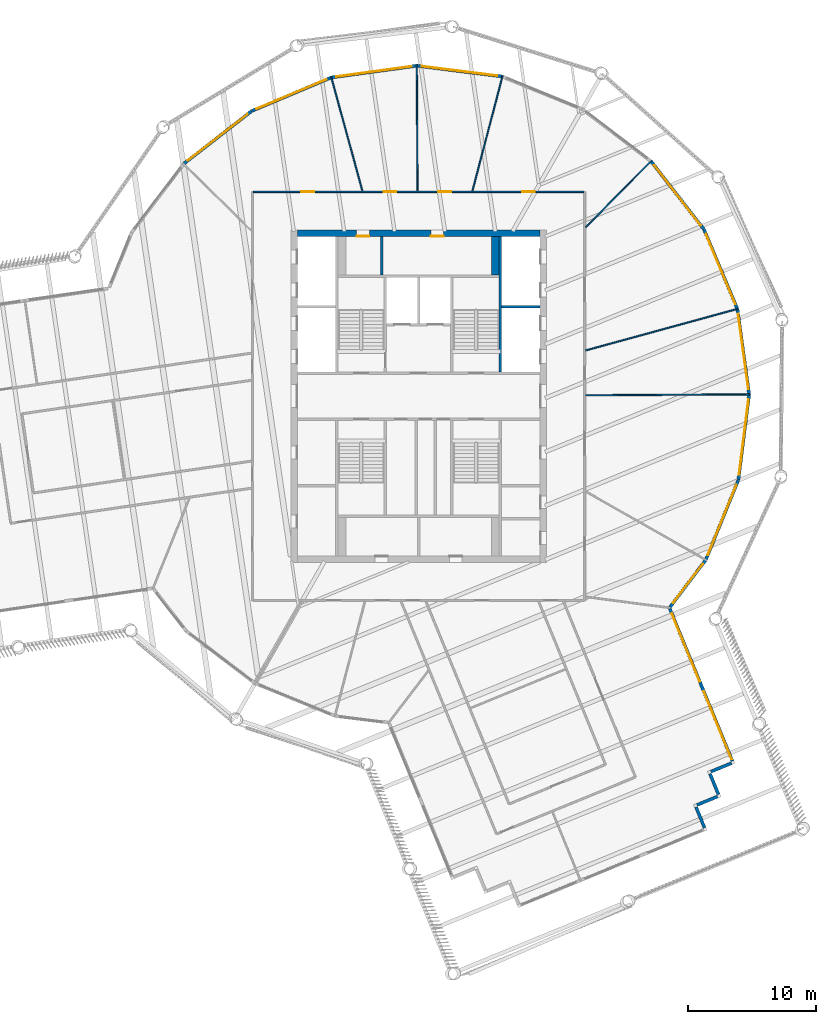
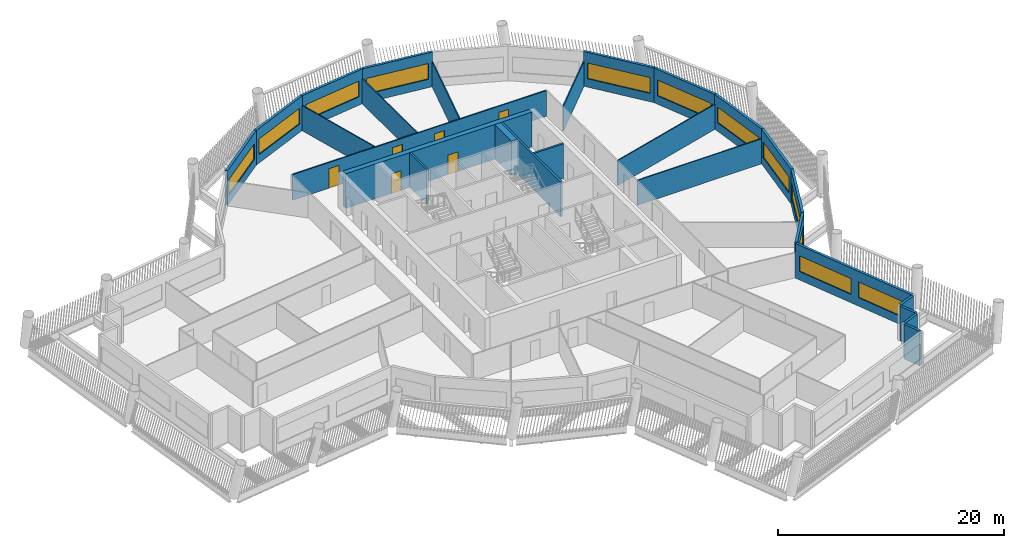
# One storey, part 6 of 15: 27 walls, 12 windows, 6 doors, 18 openings.
"""IFC4 building model written with IfcOpenShell, lengths in metres."""

from ifc_helpers import new_model, si_unit, direction, frame, frame_2d, origin, place, context, subcontext, project, spatial, rectangle, extrude, material, layer, layer_set, type_object, element, fill, save


model = new_model("IFC4")

# Units and contexts
model_context = context("Model", 3, precision=1e-05, world=origin(), true_north=direction((0.0, 1.0)))
body_context = subcontext(model_context, "Body", "Model", "MODEL_VIEW")
ifc_project = project(units=[si_unit("LENGTHUNIT", "METRE"), si_unit("AREAUNIT", "SQUARE_METRE"), si_unit("VOLUMEUNIT", "CUBIC_METRE"), si_unit("PLANEANGLEUNIT", "RADIAN"), si_unit("MASSUNIT", "GRAM", prefix="KILO")], contexts=[model_context])

# Site, building, storey
site_placement = place(None, origin())
site = spatial("IfcSite", under=ifc_project, at=site_placement, CompositionType="ELEMENT")
building_placement = place(site_placement, origin())
building = spatial("IfcBuilding", under=site, at=building_placement, Name="Tarsis Ring Headquarters", CompositionType="ELEMENT")
storey_placement = place(building_placement, frame((0.0, 0.0, 319.699951171875)))
storey = spatial("IfcBuildingStorey", under=building, at=storey_placement, Name="L75", CompositionType="ELEMENT", Elevation=319.699951171875)

# Wall
ifc_material_1 = material(Name="Blockwork", Category="masonry")
ifc_layer_1 = layer(ifc_material_1, 0.199951171875)
ifc_layer_set_1 = layer_set([ifc_layer_1], Name="Core blockwork wall 200")
wall_type_1 = type_object("IfcWallType", Name="Core blockwork wall 200", PredefinedType="PARTITIONING", material=ifc_layer_set_1)
wall_1_placement = place(storey_placement, frame((-2.89990234375, 9.5, 0.0), z_axis=(0.0, 0.0, 1.0), x_axis=(0.0, 1.0, 0.0)))
element("IfcWall", 1, at=wall_1_placement, inside=storey, type_object=wall_type_1, Name="Core partition ND1", PredefinedType="PARTITIONING", context=body_context, shape_type="SweptSolid", body=[
    extrude(rectangle(XDim=3.0, YDim=0.199951171875, at=frame_2d((1.5, 0.0))), origin(), (0.0, 0.0, 1.0), 3.739990234375),
])

# Wall, openings, doors
ifc_material_2 = material(Name="Concrete C50/60", Category="concrete")
ifc_layer_2 = layer(ifc_material_2, 0.5)
ifc_layer_set_2 = layer_set([ifc_layer_2], Name="Core wall 500 C50/60")
wall_type_2 = type_object("IfcWallType", Name="Core wall 500 C50/60", PredefinedType="SHEAR", material=ifc_layer_set_2)
wall_2_placement = place(storey_placement, frame((-9.5, 12.75, 0.0), z_axis=(0.0, 0.0, 1.0), x_axis=(1.0, 0.0, 0.0)))
wall_2 = element("IfcWall", 2, at=wall_2_placement, inside=storey, type_object=wall_type_2, Name="Core wall ON", PredefinedType="SHEAR", context=body_context, shape_type="SweptSolid", body=[
    extrude(rectangle(XDim=19.0, YDim=0.5, at=frame_2d((9.5, 0.0))), origin(), (0.0, 0.0, 1.0), 3.739990234375),
])
opening_1_placement = place(wall_2_placement, frame((4.64990234375, 0.0, 0.0)))
opening_1 = element("IfcOpeningElement", 3, at=opening_1_placement, cuts=wall_2, Name="Opening L75-C16", PredefinedType="OPENING", context=body_context, shape_type="SweptSolid", body=[
    extrude(rectangle(XDim=1.0, YDim=2.10009765625, at=frame_2d((0.5, 1.050048828125))), frame((0.0, 0.260009765625, 0.0), z_axis=(0.0, -1.0, 0.0), x_axis=(1.0, 0.0, 0.0)), (0.0, 0.0, 1.0), 0.52001953125),
])
opening_2_placement = place(wall_2_placement, frame((10.449951171875, 0.0, 0.0)))
opening_2 = element("IfcOpeningElement", 4, at=opening_2_placement, cuts=wall_2, Name="Opening L75-C17", PredefinedType="OPENING", context=body_context, shape_type="SweptSolid", body=[
    extrude(rectangle(XDim=1.0, YDim=2.10009765625, at=frame_2d((0.5, 1.050048828125))), frame((0.0, 0.260009765625, 0.0), z_axis=(0.0, -1.0, 0.0), x_axis=(1.0, 0.0, 0.0)), (0.0, 0.0, 1.0), 0.52001953125),
])
ifc_material_3 = material(Name="Steel S355", Category="steel")
door_type_1 = type_object("IfcDoorType", Name="Core room door 1000x2100", OperationType="SINGLE_SWING_LEFT", PredefinedType="DOOR", material=ifc_material_3)
door_1_placement = place(opening_1_placement, origin())
door_1 = element("IfcDoor", 5, at=door_1_placement, inside=storey, type_object=door_type_1, Name="Core room door L75", OperationType="SINGLE_SWING_LEFT", OverallHeight=2.10009765625, OverallWidth=1.0, PredefinedType="DOOR", context=body_context, shape_type="SweptSolid", body=[
    extrude(rectangle(XDim=1.0, YDim=2.10009765625, at=frame_2d((0.5, 1.050048828125))), frame((0.0, -0.2001953125, 0.0), z_axis=(0.0, -1.0, 0.0), x_axis=(1.0, 0.0, 0.0)), (0.0, 0.0, 1.0), 0.050048828125),
])
fill(opening_1, door_1)
door_2_placement = place(opening_2_placement, origin())
door_2 = element("IfcDoor", 6, at=door_2_placement, inside=storey, type_object=door_type_1, Name="Core room door L75", OperationType="SINGLE_SWING_LEFT", OverallHeight=2.10009765625, OverallWidth=1.0, PredefinedType="DOOR", context=body_context, shape_type="SweptSolid", body=[
    extrude(rectangle(XDim=1.0, YDim=2.10009765625, at=frame_2d((0.5, 1.050048828125))), frame((0.0, -0.2001953125, 0.0), z_axis=(0.0, -1.0, 0.0), x_axis=(1.0, 0.0, 0.0)), (0.0, 0.0, 1.0), 0.050048828125),
])
fill(opening_2, door_2)

# Walls
ifc_material_4 = material(Name="Gypsum board on steel studs", Category="steel")
ifc_layer_3 = layer(ifc_material_4, 0.10009765625)
ifc_layer_set_3 = layer_set([ifc_layer_3], Name="FL partition 100 unrated")
wall_type_3 = type_object("IfcWallType", Name="FL partition 100 unrated", PredefinedType="PARTITIONING", material=ifc_layer_set_3)
wall_3_placement = place(storey_placement, frame((13.070068359375, 0.072998046875, 0.0), z_axis=(0.0, 0.0, 1.0), x_axis=(0.999984360431, 0.005592753694, 0.0)))
element("IfcWall", 7, at=wall_3_placement, inside=storey, type_object=wall_type_3, Name="Partition PW3", PredefinedType="PARTITIONING", context=body_context, shape_type="SweptSolid", body=[
    extrude(rectangle(XDim=12.877685546875, YDim=0.10009765625, at=frame_2d((6.43896484375, 0.0))), origin(), (0.0, 0.0, 1.0), 2.699951171875),
])
wall_4_placement = place(storey_placement, frame((13.0673828125, 3.579833984375, 0.0), z_axis=(0.0, 0.0, 1.0), x_axis=(0.964466947409, 0.264203533958, 0.0)))
element("IfcWall", 8, at=wall_4_placement, inside=storey, type_object=wall_type_3, Name="Partition PW3", PredefinedType="PARTITIONING", context=body_context, shape_type="SweptSolid", body=[
    extrude(rectangle(XDim=12.399169921875, YDim=0.10009765625, at=frame_2d((6.19970703125, 0.0))), origin(), (0.0, 0.0, 1.0), 2.699951171875),
])
wall_5_placement = place(storey_placement, frame((-0.14501953125, 25.947509765625, 0.0), z_axis=(0.0, 0.0, 1.0), x_axis=(0.005585952693, -0.999984398445, 0.0)))
element("IfcWall", 9, at=wall_5_placement, inside=storey, type_object=wall_type_3, Name="Partition PW3", PredefinedType="PARTITIONING", context=body_context, shape_type="SweptSolid", body=[
    extrude(rectangle(XDim=9.877685546875, YDim=0.10009765625, at=frame_2d((4.93896484375, 0.0))), origin(), (0.0, 0.0, 1.0), 2.699951171875),
])
wall_6_placement = place(storey_placement, frame((4.209228515625, 16.067626953125, 0.0), z_axis=(0.0, 0.0, 1.0), x_axis=(0.253421140108, 0.967356049108, 0.0)))
element("IfcWall", 10, at=wall_6_placement, inside=storey, type_object=wall_type_3, Name="Partition PW3", PredefinedType="PARTITIONING", context=body_context, shape_type="SweptSolid", body=[
    extrude(rectangle(XDim=9.338134765625, YDim=0.10009765625, at=frame_2d((4.6689453125, 0.0))), origin(), (0.0, 0.0, 1.0), 2.699951171875),
])
wall_7_placement = place(storey_placement, frame((-6.855712890625, 25.02587890625, 0.0), z_axis=(0.0, 0.0, 1.0), x_axis=(0.264207014022, -0.964465994083, 0.0)))
element("IfcWall", 11, at=wall_7_placement, inside=storey, type_object=wall_type_3, Name="Partition PW3", PredefinedType="PARTITIONING", context=body_context, shape_type="SweptSolid", body=[
    extrude(rectangle(XDim=9.28857421875, YDim=0.10009765625, at=frame_2d((4.644287109375, 0.0))), origin(), (0.0, 0.0, 1.0), 2.699951171875),
])
wall_8_placement = place(storey_placement, frame((13.08447265625, 13.2314453125, 0.0), z_axis=(0.0, 0.0, 1.0), x_axis=(0.70313726934, 0.711054133287, 0.0)))
element("IfcWall", 12, at=wall_8_placement, inside=storey, type_object=wall_type_3, Name="Partition PW3", PredefinedType="PARTITIONING", context=body_context, shape_type="SweptSolid", body=[
    extrude(rectangle(XDim=7.33935546875, YDim=0.10009765625, at=frame_2d((3.669677734375, 0.0))), origin(), (0.0, 0.0, 1.0), 2.699951171875),
])

# Wall, openings, doors
ifc_layer_4 = layer(ifc_material_4, 0.125)
ifc_layer_set_4 = layer_set([ifc_layer_4], Name="FL partition 125 EI 60 H2770")
wall_type_4 = type_object("IfcWallType", Name="FL partition 125 EI 60 H2770", PredefinedType="PARTITIONING", material=ifc_layer_set_4)
wall_9_placement = place(storey_placement, frame((-12.93994140625, 16.0, 0.0), z_axis=(0.0, 0.0, 1.0), x_axis=(1.0, 0.0, 0.0)))
wall_9 = element("IfcWall", 13, at=wall_9_placement, inside=storey, type_object=wall_type_4, Name="Partition PW1", PredefinedType="PARTITIONING", context=body_context, shape_type="SweptSolid", body=[
    extrude(rectangle(XDim=25.8798828125, YDim=0.125, at=frame_2d((12.93994140625, 0.0))), origin(), (0.0, 0.0, 1.0), 2.77001953125),
])
opening_3_placement = place(wall_9_placement, frame((3.748291015625, 0.0, 0.0)))
opening_3 = element("IfcOpeningElement", 14, at=opening_3_placement, cuts=wall_9, Name="Opening D75.04", PredefinedType="OPENING", context=body_context, shape_type="SweptSolid", body=[
    extrude(rectangle(XDim=1.0, YDim=2.10009765625, at=frame_2d((0.5, 1.050048828125))), frame((0.0, 0.072509765625, 0.0), z_axis=(0.0, -1.0, 0.0), x_axis=(1.0, 0.0, 0.0)), (0.0, 0.0, 1.0), 0.14501953125),
])
opening_4_placement = place(wall_9_placement, frame((10.203857421875, 0.0, 0.0)))
opening_4 = element("IfcOpeningElement", 15, at=opening_4_placement, cuts=wall_9, Name="Opening D75.05", PredefinedType="OPENING", context=body_context, shape_type="SweptSolid", body=[
    extrude(rectangle(XDim=1.0, YDim=2.10009765625, at=frame_2d((0.5, 1.050048828125))), frame((0.0, 0.072509765625, 0.0), z_axis=(0.0, -1.0, 0.0), x_axis=(1.0, 0.0, 0.0)), (0.0, 0.0, 1.0), 0.14501953125),
])
opening_5_placement = place(wall_9_placement, frame((14.4912109375, 0.0, 0.0)))
opening_5 = element("IfcOpeningElement", 16, at=opening_5_placement, cuts=wall_9, Name="Opening D75.06", PredefinedType="OPENING", context=body_context, shape_type="SweptSolid", body=[
    extrude(rectangle(XDim=1.0, YDim=2.10009765625, at=frame_2d((0.5, 1.050048828125))), frame((0.0, 0.072509765625, 0.0), z_axis=(0.0, -1.0, 0.0), x_axis=(1.0, 0.0, 0.0)), (0.0, 0.0, 1.0), 0.14501953125),
])
opening_6_placement = place(wall_9_placement, frame((21.035888671875, 0.0, 0.0)))
opening_6 = element("IfcOpeningElement", 17, at=opening_6_placement, cuts=wall_9, Name="Opening D75.07", PredefinedType="OPENING", context=body_context, shape_type="SweptSolid", body=[
    extrude(rectangle(XDim=1.0, YDim=2.10009765625, at=frame_2d((0.5, 1.050048828125))), frame((0.0, 0.072509765625, 0.0), z_axis=(0.0, -1.0, 0.0), x_axis=(1.0, 0.0, 0.0)), (0.0, 0.0, 1.0), 0.14501953125),
])
ifc_material_5 = material(Name="Fire-rated timber door leaf in steel frame", Category="steel")
door_type_2 = type_object("IfcDoorType", Name="FL door FD60-1000", OperationType="NOTDEFINED", PredefinedType="DOOR", material=ifc_material_5)
door_3_placement = place(opening_3_placement, origin())
door_3 = element("IfcDoor", 18, at=door_3_placement, inside=storey, type_object=door_type_2, Name="Door D75.04", OperationType="SINGLE_SWING_LEFT", OverallHeight=2.10009765625, OverallWidth=1.0, PredefinedType="DOOR", context=body_context, shape_type="SweptSolid", body=[
    extrude(rectangle(XDim=1.0, YDim=2.10009765625, at=frame_2d((0.5, 1.050048828125))), frame((0.0, 0.02490234375, 0.0), z_axis=(0.0, -1.0, 0.0), x_axis=(1.0, 0.0, 0.0)), (0.0, 0.0, 1.0), 0.050048828125),
])
fill(opening_3, door_3)
door_4_placement = place(opening_4_placement, origin())
door_4 = element("IfcDoor", 19, at=door_4_placement, inside=storey, type_object=door_type_2, Name="Door D75.05", OperationType="SINGLE_SWING_RIGHT", OverallHeight=2.10009765625, OverallWidth=1.0, PredefinedType="DOOR", context=body_context, shape_type="SweptSolid", body=[
    extrude(rectangle(XDim=1.0, YDim=2.10009765625, at=frame_2d((0.5, 1.050048828125))), frame((0.0, 0.02490234375, 0.0), z_axis=(0.0, -1.0, 0.0), x_axis=(1.0, 0.0, 0.0)), (0.0, 0.0, 1.0), 0.050048828125),
])
fill(opening_4, door_4)
door_5_placement = place(opening_5_placement, origin())
door_5 = element("IfcDoor", 20, at=door_5_placement, inside=storey, type_object=door_type_2, Name="Door D75.06", OperationType="SINGLE_SWING_LEFT", OverallHeight=2.10009765625, OverallWidth=1.0, PredefinedType="DOOR", context=body_context, shape_type="SweptSolid", body=[
    extrude(rectangle(XDim=1.0, YDim=2.10009765625, at=frame_2d((0.5, 1.050048828125))), frame((0.0, 0.02490234375, 0.0), z_axis=(0.0, -1.0, 0.0), x_axis=(1.0, 0.0, 0.0)), (0.0, 0.0, 1.0), 0.050048828125),
])
fill(opening_5, door_5)
door_6_placement = place(opening_6_placement, origin())
door_6 = element("IfcDoor", 21, at=door_6_placement, inside=storey, type_object=door_type_2, Name="Door D75.07", OperationType="SINGLE_SWING_RIGHT", OverallHeight=2.10009765625, OverallWidth=1.0, PredefinedType="DOOR", context=body_context, shape_type="SweptSolid", body=[
    extrude(rectangle(XDim=1.0, YDim=2.10009765625, at=frame_2d((0.5, 1.050048828125))), frame((0.0, 0.02490234375, 0.0), z_axis=(0.0, -1.0, 0.0), x_axis=(1.0, 0.0, 0.0)), (0.0, 0.0, 1.0), 0.050048828125),
])
fill(opening_6, door_6)

# Walls
ifc_material_6 = material(Name="Terracotta clad insulated panel wall", Category="masonry")
ifc_layer_5 = layer(ifc_material_6, 0.25)
ifc_layer_set_5 = layer_set([ifc_layer_5], Name="Facade wall terracotta panel 250")
wall_type_5 = type_object("IfcWallType", Name="Facade wall terracotta panel 250", PredefinedType="STANDARD", material=ifc_layer_set_5)
for number, where, z_axis, x_axis, name in (
    (22, (22.381103515625, -33.781005859375, 0.0), (0.0, 0.0, 1.0), (-0.379746182339, 0.925090718254, 0.0), "External wall L75-12"),
    (23, (21.78466796875, -31.9990234375, 0.0), (0.0, 0.0, 1.0), (0.925090718254, 0.379746182339, 0.0), "External wall L75-13"),
    (24, (23.4716796875, -31.17138671875, 0.0), (0.0, 0.0, 1.0), (-0.379746182339, 0.925090718254, 0.0), "External wall L75-14"),
    (25, (22.875244140625, -29.389404296875, 0.0), (0.0, 0.0, 1.0), (0.925090718254, 0.379746182339, 0.0), "External wall L75-15"),
):
    element("IfcWall", number, at=place(storey_placement, frame(where, z_axis=z_axis, x_axis=x_axis)), inside=storey, type_object=wall_type_5, Name=name, PredefinedType="STANDARD", context=body_context, shape_type="SweptSolid", body=[
        extrude(rectangle(XDim=1.75, YDim=0.25, at=frame_2d((0.875, 0.0))), origin(), (0.0, 0.0, 1.0), 3.739990234375),
    ])

# Wall, openings, windows
wall_10_placement = place(storey_placement, frame((24.5625, -28.5615234375, 0.0), z_axis=(0.0, 0.0, 1.0), x_axis=(-0.379783527324, 0.9250753874, 0.0)))
wall_10 = element("IfcWall", 26, at=wall_10_placement, inside=storey, type_object=wall_type_5, Name="External wall L75-16", PredefinedType="STANDARD", context=body_context, shape_type="SweptSolid", body=[
    extrude(rectangle(XDim=12.901123046875, YDim=0.25, at=frame_2d((6.45068359375, 0.0))), origin(), (0.0, 0.0, 1.0), 3.739990234375),
])
opening_7_placement = place(wall_10_placement, frame((0.162841796875, 0.0, 0.89990234375)))
opening_7 = element("IfcOpeningElement", 27, at=opening_7_placement, cuts=wall_10, Name="Opening WN06", PredefinedType="OPENING", context=body_context, shape_type="SweptSolid", body=[
    extrude(rectangle(XDim=5.75, YDim=1.699951171875, at=frame_2d((2.875, 0.85009765625))), frame((0.0, 0.135009765625, 0.0), z_axis=(0.0, -1.0, 0.0), x_axis=(1.0, 0.0, 0.0)), (0.0, 0.0, 1.0), 0.27001953125),
])
opening_8_placement = place(wall_10_placement, frame((6.738525390625, 0.0, 0.89990234375)))
opening_8 = element("IfcOpeningElement", 28, at=opening_8_placement, cuts=wall_10, Name="Opening WN06", PredefinedType="OPENING", context=body_context, shape_type="SweptSolid", body=[
    extrude(rectangle(XDim=5.75, YDim=1.699951171875, at=frame_2d((2.875, 0.85009765625))), frame((0.0, 0.135009765625, 0.0), z_axis=(0.0, -1.0, 0.0), x_axis=(1.0, 0.0, 0.0)), (0.0, 0.0, 1.0), 0.27001953125),
])
ifc_material_7 = material(Name="Aluminium framed double glazing", Category="aluminium")
window_type_1 = type_object("IfcWindowType", Name="Facade window 5750 x 1700", PartitioningType="SINGLE_PANEL", PredefinedType="WINDOW", material=ifc_material_7)
window_1_placement = place(opening_7_placement, origin())
window_1 = element("IfcWindow", 29, at=window_1_placement, inside=storey, type_object=window_type_1, Name="Window L75-16.1", OverallHeight=1.699951171875, OverallWidth=5.75, PartitioningType="SINGLE_PANEL", PredefinedType="WINDOW", context=body_context, shape_type="SweptSolid", body=[
    extrude(rectangle(XDim=5.75, YDim=1.699951171875, at=frame_2d((2.875, 0.85009765625))), frame((0.0, 0.030029296875, 0.0), z_axis=(0.0, -1.0, 0.0), x_axis=(1.0, 0.0, 0.0)), (0.0, 0.0, 1.0), 0.06005859375),
])
fill(opening_7, window_1)
window_2_placement = place(opening_8_placement, origin())
window_2 = element("IfcWindow", 30, at=window_2_placement, inside=storey, type_object=window_type_1, Name="Window L75-16.2", OverallHeight=1.699951171875, OverallWidth=5.75, PartitioningType="SINGLE_PANEL", PredefinedType="WINDOW", context=body_context, shape_type="SweptSolid", body=[
    extrude(rectangle(XDim=5.75, YDim=1.699951171875, at=frame_2d((2.875, 0.85009765625))), frame((0.0, 0.030029296875, 0.0), z_axis=(0.0, -1.0, 0.0), x_axis=(1.0, 0.0, 0.0)), (0.0, 0.0, 1.0), 0.06005859375),
])
fill(opening_8, window_2)

# Wall, opening, window
wall_11_placement = place(storey_placement, frame((19.6787109375, -16.50390625, 0.0), z_axis=(0.0, 0.0, 1.0), x_axis=(0.604339038367, 0.796727259924, 0.0)))
wall_11 = element("IfcWall", 31, at=wall_11_placement, inside=storey, type_object=wall_type_5, Name="External wall L75-17", PredefinedType="STANDARD", context=body_context, shape_type="SweptSolid", body=[
    extrude(rectangle(XDim=4.617919921875, YDim=0.25, at=frame_2d((2.30908203125, 0.0))), origin(), (0.0, 0.0, 1.0), 3.739990234375),
])
opening_9_placement = place(wall_11_placement, frame((0.400390625, 0.0, 0.89990234375)))
opening_9 = element("IfcOpeningElement", 32, at=opening_9_placement, cuts=wall_11, Name="Opening WN02", PredefinedType="OPENING", context=body_context, shape_type="SweptSolid", body=[
    extrude(rectangle(XDim=3.85009765625, YDim=1.699951171875, at=frame_2d((1.925048828125, 0.85009765625))), frame((0.0, 0.135009765625, 0.0), z_axis=(0.0, -1.0, 0.0), x_axis=(1.0, 0.0, 0.0)), (0.0, 0.0, 1.0), 0.27001953125),
])
window_type_2 = type_object("IfcWindowType", Name="Facade window 3850 x 1700", PartitioningType="SINGLE_PANEL", PredefinedType="WINDOW", material=ifc_material_7)
window_3_placement = place(opening_9_placement, origin())
window_3 = element("IfcWindow", 33, at=window_3_placement, inside=storey, type_object=window_type_2, Name="Window L75-17.1", OverallHeight=1.699951171875, OverallWidth=3.85009765625, PartitioningType="SINGLE_PANEL", PredefinedType="WINDOW", context=body_context, shape_type="SweptSolid", body=[
    extrude(rectangle(XDim=3.85009765625, YDim=1.699951171875, at=frame_2d((1.925048828125, 0.85009765625))), frame((0.0, 0.030029296875, 0.0), z_axis=(0.0, -1.0, 0.0), x_axis=(1.0, 0.0, 0.0)), (0.0, 0.0, 1.0), 0.06005859375),
])
fill(opening_9, window_3)

wall_12_placement = place(storey_placement, frame((22.485595703125, -12.79638671875, 0.0), z_axis=(0.0, 0.0, 1.0), x_axis=(0.377532242545, 0.925996439431, 0.0)))
wall_12 = element("IfcWall", 34, at=wall_12_placement, inside=storey, type_object=wall_type_5, Name="External wall L75-18", PredefinedType="STANDARD", context=body_context, shape_type="SweptSolid", body=[
    extrude(rectangle(XDim=6.721435546875, YDim=0.25, at=frame_2d((3.36083984375, 0.0))), origin(), (0.0, 0.0, 1.0), 3.739990234375),
])
opening_10_placement = place(wall_12_placement, frame((0.3857421875, 0.0, 0.89990234375)))
opening_10 = element("IfcOpeningElement", 35, at=opening_10_placement, cuts=wall_12, Name="Opening WN07", PredefinedType="OPENING", context=body_context, shape_type="SweptSolid", body=[
    extrude(rectangle(XDim=5.949951171875, YDim=1.699951171875, at=frame_2d((2.97509765625, 0.85009765625))), frame((0.0, 0.135009765625, 0.0), z_axis=(0.0, -1.0, 0.0), x_axis=(1.0, 0.0, 0.0)), (0.0, 0.0, 1.0), 0.27001953125),
])
window_type_3 = type_object("IfcWindowType", Name="Facade window 5950 x 1700", PartitioningType="SINGLE_PANEL", PredefinedType="WINDOW", material=ifc_material_7)
window_4_placement = place(opening_10_placement, origin())
window_4 = element("IfcWindow", 36, at=window_4_placement, inside=storey, type_object=window_type_3, Name="Window L75-18.1", OverallHeight=1.699951171875, OverallWidth=5.949951171875, PartitioningType="SINGLE_PANEL", PredefinedType="WINDOW", context=body_context, shape_type="SweptSolid", body=[
    extrude(rectangle(XDim=5.949951171875, YDim=1.699951171875, at=frame_2d((2.97509765625, 0.85009765625))), frame((0.0, 0.030029296875, 0.0), z_axis=(0.0, -1.0, 0.0), x_axis=(1.0, 0.0, 0.0)), (0.0, 0.0, 1.0), 0.06005859375),
])
fill(opening_10, window_4)

wall_13_placement = place(storey_placement, frame((25.03125, -6.54052734375, 0.0), z_axis=(0.0, 0.0, 1.0), x_axis=(0.125022649888, 0.992153887769, 0.0)))
wall_13 = element("IfcWall", 37, at=wall_13_placement, inside=storey, type_object=wall_type_5, Name="External wall L75-19", PredefinedType="STANDARD", context=body_context, shape_type="SweptSolid", body=[
    extrude(rectangle(XDim=6.721435546875, YDim=0.25, at=frame_2d((3.36083984375, 0.0))), origin(), (0.0, 0.0, 1.0), 3.739990234375),
])
opening_11_placement = place(wall_13_placement, frame((0.3857421875, 0.0, 0.89990234375)))
opening_11 = element("IfcOpeningElement", 38, at=opening_11_placement, cuts=wall_13, Name="Opening WN07", PredefinedType="OPENING", context=body_context, shape_type="SweptSolid", body=[
    extrude(rectangle(XDim=5.949951171875, YDim=1.699951171875, at=frame_2d((2.97509765625, 0.85009765625))), frame((0.0, 0.135009765625, 0.0), z_axis=(0.0, -1.0, 0.0), x_axis=(1.0, 0.0, 0.0)), (0.0, 0.0, 1.0), 0.27001953125),
])
window_5_placement = place(opening_11_placement, origin())
window_5 = element("IfcWindow", 39, at=window_5_placement, inside=storey, type_object=window_type_3, Name="Window L75-19.1", OverallHeight=1.699951171875, OverallWidth=5.949951171875, PartitioningType="SINGLE_PANEL", PredefinedType="WINDOW", context=body_context, shape_type="SweptSolid", body=[
    extrude(rectangle(XDim=5.949951171875, YDim=1.699951171875, at=frame_2d((2.97509765625, 0.85009765625))), frame((0.0, 0.030029296875, 0.0), z_axis=(0.0, -1.0, 0.0), x_axis=(1.0, 0.0, 0.0)), (0.0, 0.0, 1.0), 0.06005859375),
])
fill(opening_11, window_5)

wall_14_placement = place(storey_placement, frame((25.871337890625, 0.160888671875, 0.0), z_axis=(0.0, 0.0, 1.0), x_axis=(-0.136064604009, 0.990699966456, 0.0)))
wall_14 = element("IfcWall", 40, at=wall_14_placement, inside=storey, type_object=wall_type_5, Name="External wall L75-20", PredefinedType="STANDARD", context=body_context, shape_type="SweptSolid", body=[
    extrude(rectangle(XDim=6.721435546875, YDim=0.25, at=frame_2d((3.36083984375, 0.0))), origin(), (0.0, 0.0, 1.0), 3.739990234375),
])
opening_12_placement = place(wall_14_placement, frame((0.3857421875, 0.0, 0.89990234375)))
opening_12 = element("IfcOpeningElement", 41, at=opening_12_placement, cuts=wall_14, Name="Opening WN07", PredefinedType="OPENING", context=body_context, shape_type="SweptSolid", body=[
    extrude(rectangle(XDim=5.949951171875, YDim=1.699951171875, at=frame_2d((2.97509765625, 0.85009765625))), frame((0.0, 0.135009765625, 0.0), z_axis=(0.0, -1.0, 0.0), x_axis=(1.0, 0.0, 0.0)), (0.0, 0.0, 1.0), 0.27001953125),
])
window_6_placement = place(opening_12_placement, origin())
window_6 = element("IfcWindow", 42, at=window_6_placement, inside=storey, type_object=window_type_3, Name="Window L75-20.1", OverallHeight=1.699951171875, OverallWidth=5.949951171875, PartitioningType="SINGLE_PANEL", PredefinedType="WINDOW", context=body_context, shape_type="SweptSolid", body=[
    extrude(rectangle(XDim=5.949951171875, YDim=1.699951171875, at=frame_2d((2.97509765625, 0.85009765625))), frame((0.0, 0.030029296875, 0.0), z_axis=(0.0, -1.0, 0.0), x_axis=(1.0, 0.0, 0.0)), (0.0, 0.0, 1.0), 0.06005859375),
])
fill(opening_12, window_6)

wall_15_placement = place(storey_placement, frame((24.947998046875, 6.851318359375, 0.0), z_axis=(0.0, 0.0, 1.0), x_axis=(-0.387821528368, 0.921734485703, 0.0)))
wall_15 = element("IfcWall", 43, at=wall_15_placement, inside=storey, type_object=wall_type_5, Name="External wall L75-21", PredefinedType="STANDARD", context=body_context, shape_type="SweptSolid", body=[
    extrude(rectangle(XDim=6.721435546875, YDim=0.25, at=frame_2d((3.36083984375, 0.0))), origin(), (0.0, 0.0, 1.0), 3.739990234375),
])
opening_13_placement = place(wall_15_placement, frame((0.3857421875, 0.0, 0.89990234375)))
opening_13 = element("IfcOpeningElement", 44, at=opening_13_placement, cuts=wall_15, Name="Opening WN07", PredefinedType="OPENING", context=body_context, shape_type="SweptSolid", body=[
    extrude(rectangle(XDim=5.949951171875, YDim=1.699951171875, at=frame_2d((2.97509765625, 0.85009765625))), frame((0.0, 0.135009765625, 0.0), z_axis=(0.0, -1.0, 0.0), x_axis=(1.0, 0.0, 0.0)), (0.0, 0.0, 1.0), 0.27001953125),
])
window_7_placement = place(opening_13_placement, origin())
window_7 = element("IfcWindow", 45, at=window_7_placement, inside=storey, type_object=window_type_3, Name="Window L75-21.1", OverallHeight=1.699951171875, OverallWidth=5.949951171875, PartitioningType="SINGLE_PANEL", PredefinedType="WINDOW", context=body_context, shape_type="SweptSolid", body=[
    extrude(rectangle(XDim=5.949951171875, YDim=1.699951171875, at=frame_2d((2.97509765625, 0.85009765625))), frame((0.0, 0.030029296875, 0.0), z_axis=(0.0, -1.0, 0.0), x_axis=(1.0, 0.0, 0.0)), (0.0, 0.0, 1.0), 0.06005859375),
])
fill(opening_13, window_7)

wall_16_placement = place(storey_placement, frame((22.32470703125, 13.074951171875, 0.0), z_axis=(0.0, 0.0, 1.0), x_axis=(-0.613168316746, 0.789952286748, 0.0)))
wall_16 = element("IfcWall", 46, at=wall_16_placement, inside=storey, type_object=wall_type_5, Name="External wall L75-22", PredefinedType="STANDARD", context=body_context, shape_type="SweptSolid", body=[
    extrude(rectangle(XDim=6.721435546875, YDim=0.25, at=frame_2d((3.36083984375, 0.0))), origin(), (0.0, 0.0, 1.0), 3.739990234375),
])
opening_14_placement = place(wall_16_placement, frame((0.3857421875, 0.0, 0.89990234375)))
opening_14 = element("IfcOpeningElement", 47, at=opening_14_placement, cuts=wall_16, Name="Opening WN07", PredefinedType="OPENING", context=body_context, shape_type="SweptSolid", body=[
    extrude(rectangle(XDim=5.949951171875, YDim=1.699951171875, at=frame_2d((2.97509765625, 0.85009765625))), frame((0.0, 0.135009765625, 0.0), z_axis=(0.0, -1.0, 0.0), x_axis=(1.0, 0.0, 0.0)), (0.0, 0.0, 1.0), 0.27001953125),
])
window_8_placement = place(opening_14_placement, origin())
window_8 = element("IfcWindow", 48, at=window_8_placement, inside=storey, type_object=window_type_3, Name="Window L75-22.1", OverallHeight=1.699951171875, OverallWidth=5.949951171875, PartitioningType="SINGLE_PANEL", PredefinedType="WINDOW", context=body_context, shape_type="SweptSolid", body=[
    extrude(rectangle(XDim=5.949951171875, YDim=1.699951171875, at=frame_2d((2.97509765625, 0.85009765625))), frame((0.0, 0.030029296875, 0.0), z_axis=(0.0, -1.0, 0.0), x_axis=(1.0, 0.0, 0.0)), (0.0, 0.0, 1.0), 0.06005859375),
])
fill(opening_14, window_8)

wall_17_placement = place(storey_placement, frame((6.54052734375, 25.03125, 0.0), z_axis=(0.0, 0.0, 1.0), x_axis=(-0.992153887769, 0.125022649888, 0.0)))
wall_17 = element("IfcWall", 49, at=wall_17_placement, inside=storey, type_object=wall_type_5, Name="External wall L75-25", PredefinedType="STANDARD", context=body_context, shape_type="SweptSolid", body=[
    extrude(rectangle(XDim=6.721435546875, YDim=0.25, at=frame_2d((3.36083984375, 0.0))), origin(), (0.0, 0.0, 1.0), 3.739990234375),
])
opening_15_placement = place(wall_17_placement, frame((0.3857421875, 0.0, 0.89990234375)))
opening_15 = element("IfcOpeningElement", 50, at=opening_15_placement, cuts=wall_17, Name="Opening WN07", PredefinedType="OPENING", context=body_context, shape_type="SweptSolid", body=[
    extrude(rectangle(XDim=5.949951171875, YDim=1.699951171875, at=frame_2d((2.97509765625, 0.85009765625))), frame((0.0, 0.135009765625, 0.0), z_axis=(0.0, -1.0, 0.0), x_axis=(1.0, 0.0, 0.0)), (0.0, 0.0, 1.0), 0.27001953125),
])
window_9_placement = place(opening_15_placement, origin())
window_9 = element("IfcWindow", 51, at=window_9_placement, inside=storey, type_object=window_type_3, Name="Window L75-25.1", OverallHeight=1.699951171875, OverallWidth=5.949951171875, PartitioningType="SINGLE_PANEL", PredefinedType="WINDOW", context=body_context, shape_type="SweptSolid", body=[
    extrude(rectangle(XDim=5.949951171875, YDim=1.699951171875, at=frame_2d((2.97509765625, 0.85009765625))), frame((0.0, 0.030029296875, 0.0), z_axis=(0.0, -1.0, 0.0), x_axis=(1.0, 0.0, 0.0)), (0.0, 0.0, 1.0), 0.06005859375),
])
fill(opening_15, window_9)

wall_18_placement = place(storey_placement, frame((-0.160888671875, 25.871337890625, 0.0), z_axis=(0.0, 0.0, 1.0), x_axis=(-0.990699966456, -0.136064604009, 0.0)))
wall_18 = element("IfcWall", 52, at=wall_18_placement, inside=storey, type_object=wall_type_5, Name="External wall L75-26", PredefinedType="STANDARD", context=body_context, shape_type="SweptSolid", body=[
    extrude(rectangle(XDim=6.721435546875, YDim=0.25, at=frame_2d((3.36083984375, 0.0))), origin(), (0.0, 0.0, 1.0), 3.739990234375),
])
opening_16_placement = place(wall_18_placement, frame((0.3857421875, 0.0, 0.89990234375)))
opening_16 = element("IfcOpeningElement", 53, at=opening_16_placement, cuts=wall_18, Name="Opening WN07", PredefinedType="OPENING", context=body_context, shape_type="SweptSolid", body=[
    extrude(rectangle(XDim=5.949951171875, YDim=1.699951171875, at=frame_2d((2.97509765625, 0.85009765625))), frame((0.0, 0.135009765625, 0.0), z_axis=(0.0, -1.0, 0.0), x_axis=(1.0, 0.0, 0.0)), (0.0, 0.0, 1.0), 0.27001953125),
])
window_10_placement = place(opening_16_placement, origin())
window_10 = element("IfcWindow", 54, at=window_10_placement, inside=storey, type_object=window_type_3, Name="Window L75-26.1", OverallHeight=1.699951171875, OverallWidth=5.949951171875, PartitioningType="SINGLE_PANEL", PredefinedType="WINDOW", context=body_context, shape_type="SweptSolid", body=[
    extrude(rectangle(XDim=5.949951171875, YDim=1.699951171875, at=frame_2d((2.97509765625, 0.85009765625))), frame((0.0, 0.030029296875, 0.0), z_axis=(0.0, -1.0, 0.0), x_axis=(1.0, 0.0, 0.0)), (0.0, 0.0, 1.0), 0.06005859375),
])
fill(opening_16, window_10)

wall_19_placement = place(storey_placement, frame((-6.851318359375, 24.947998046875, 0.0), z_axis=(0.0, 0.0, 1.0), x_axis=(-0.921734485703, -0.387821528368, 0.0)))
wall_19 = element("IfcWall", 55, at=wall_19_placement, inside=storey, type_object=wall_type_5, Name="External wall L75-27", PredefinedType="STANDARD", context=body_context, shape_type="SweptSolid", body=[
    extrude(rectangle(XDim=6.721435546875, YDim=0.25, at=frame_2d((3.36083984375, 0.0))), origin(), (0.0, 0.0, 1.0), 3.739990234375),
])
opening_17_placement = place(wall_19_placement, frame((0.3857421875, 0.0, 0.89990234375)))
opening_17 = element("IfcOpeningElement", 56, at=opening_17_placement, cuts=wall_19, Name="Opening WN07", PredefinedType="OPENING", context=body_context, shape_type="SweptSolid", body=[
    extrude(rectangle(XDim=5.949951171875, YDim=1.699951171875, at=frame_2d((2.97509765625, 0.85009765625))), frame((0.0, 0.135009765625, 0.0), z_axis=(0.0, -1.0, 0.0), x_axis=(1.0, 0.0, 0.0)), (0.0, 0.0, 1.0), 0.27001953125),
])
window_11_placement = place(opening_17_placement, origin())
window_11 = element("IfcWindow", 57, at=window_11_placement, inside=storey, type_object=window_type_3, Name="Window L75-27.1", OverallHeight=1.699951171875, OverallWidth=5.949951171875, PartitioningType="SINGLE_PANEL", PredefinedType="WINDOW", context=body_context, shape_type="SweptSolid", body=[
    extrude(rectangle(XDim=5.949951171875, YDim=1.699951171875, at=frame_2d((2.97509765625, 0.85009765625))), frame((0.0, 0.030029296875, 0.0), z_axis=(0.0, -1.0, 0.0), x_axis=(1.0, 0.0, 0.0)), (0.0, 0.0, 1.0), 0.06005859375),
])
fill(opening_17, window_11)

wall_20_placement = place(storey_placement, frame((-13.074951171875, 22.32470703125, 0.0), z_axis=(0.0, 0.0, 1.0), x_axis=(-0.789952286748, -0.613168316746, 0.0)))
wall_20 = element("IfcWall", 58, at=wall_20_placement, inside=storey, type_object=wall_type_5, Name="External wall L75-28", PredefinedType="STANDARD", context=body_context, shape_type="SweptSolid", body=[
    extrude(rectangle(XDim=6.721435546875, YDim=0.25, at=frame_2d((3.36083984375, 0.0))), origin(), (0.0, 0.0, 1.0), 3.739990234375),
])
opening_18_placement = place(wall_20_placement, frame((0.3857421875, 0.0, 0.89990234375)))
opening_18 = element("IfcOpeningElement", 59, at=opening_18_placement, cuts=wall_20, Name="Opening WN07", PredefinedType="OPENING", context=body_context, shape_type="SweptSolid", body=[
    extrude(rectangle(XDim=5.949951171875, YDim=1.699951171875, at=frame_2d((2.97509765625, 0.85009765625))), frame((0.0, 0.135009765625, 0.0), z_axis=(0.0, -1.0, 0.0), x_axis=(1.0, 0.0, 0.0)), (0.0, 0.0, 1.0), 0.27001953125),
])
window_12_placement = place(opening_18_placement, origin())
window_12 = element("IfcWindow", 60, at=window_12_placement, inside=storey, type_object=window_type_3, Name="Window L75-28.1", OverallHeight=1.699951171875, OverallWidth=5.949951171875, PartitioningType="SINGLE_PANEL", PredefinedType="WINDOW", context=body_context, shape_type="SweptSolid", body=[
    extrude(rectangle(XDim=5.949951171875, YDim=1.699951171875, at=frame_2d((2.97509765625, 0.85009765625))), frame((0.0, 0.030029296875, 0.0), z_axis=(0.0, -1.0, 0.0), x_axis=(1.0, 0.0, 0.0)), (0.0, 0.0, 1.0), 0.06005859375),
])
fill(opening_18, window_12)

# Walls
ifc_material_8 = material(Name="Concrete C32/40", Category="concrete")
ifc_layer_6 = layer(ifc_material_8, 0.60009765625)
ifc_layer_set_6 = layer_set([ifc_layer_6], Name="Shaft end wall 600 C32/40")
wall_type_6 = type_object("IfcWallType", Name="Shaft end wall 600 C32/40", PredefinedType="SOLIDWALL", material=ifc_layer_set_6)
wall_21_placement = place(storey_placement, frame((6.0, 9.5, 0.0), z_axis=(0.0, 0.0, 1.0), x_axis=(0.0, 1.0, 0.0)))
element("IfcWall", 61, at=wall_21_placement, inside=storey, type_object=wall_type_6, Name="Core shaft wall NNE2", PredefinedType="SOLIDWALL", context=body_context, shape_type="SweptSolid", body=[
    extrude(rectangle(XDim=3.0, YDim=0.60009765625, at=frame_2d((1.5, 0.0))), origin(), (0.0, 0.0, 1.0), 3.739990234375),
])
ifc_layer_7 = layer(ifc_material_8, 0.199951171875)
ifc_layer_set_7 = layer_set([ifc_layer_7], Name="Shaft wall 200 C32/40")
wall_type_7 = type_object("IfcWallType", Name="Shaft wall 200 C32/40", PredefinedType="SOLIDWALL", material=ifc_layer_set_7)
wall_22_placement = place(storey_placement, frame((6.39990234375, 1.89990234375, 0.0), z_axis=(0.0, 0.0, 1.0), x_axis=(0.0, 1.0, 0.0)))
element("IfcWall", 62, at=wall_22_placement, inside=storey, type_object=wall_type_7, Name="Core shaft wall EB2", PredefinedType="SOLIDWALL", context=body_context, shape_type="SweptSolid", body=[
    extrude(rectangle(XDim=10.60009765625, YDim=0.199951171875, at=frame_2d((5.300048828125, 0.0))), origin(), (0.0, 0.0, 1.0), 3.739990234375),
])
wall_23_placement = place(storey_placement, frame((6.5, 7.0, 0.0), z_axis=(0.0, 0.0, 1.0), x_axis=(1.0, 0.0, 0.0)))
element("IfcWall", 63, at=wall_23_placement, inside=storey, type_object=wall_type_7, Name="Core shaft wall ED6", PredefinedType="SOLIDWALL", context=body_context, shape_type="SweptSolid", body=[
    extrude(rectangle(XDim=3.0, YDim=0.199951171875, at=frame_2d((1.5, 0.0))), origin(), (0.0, 0.0, 1.0), 3.739990234375),
])

save(model, "model.ifc")
